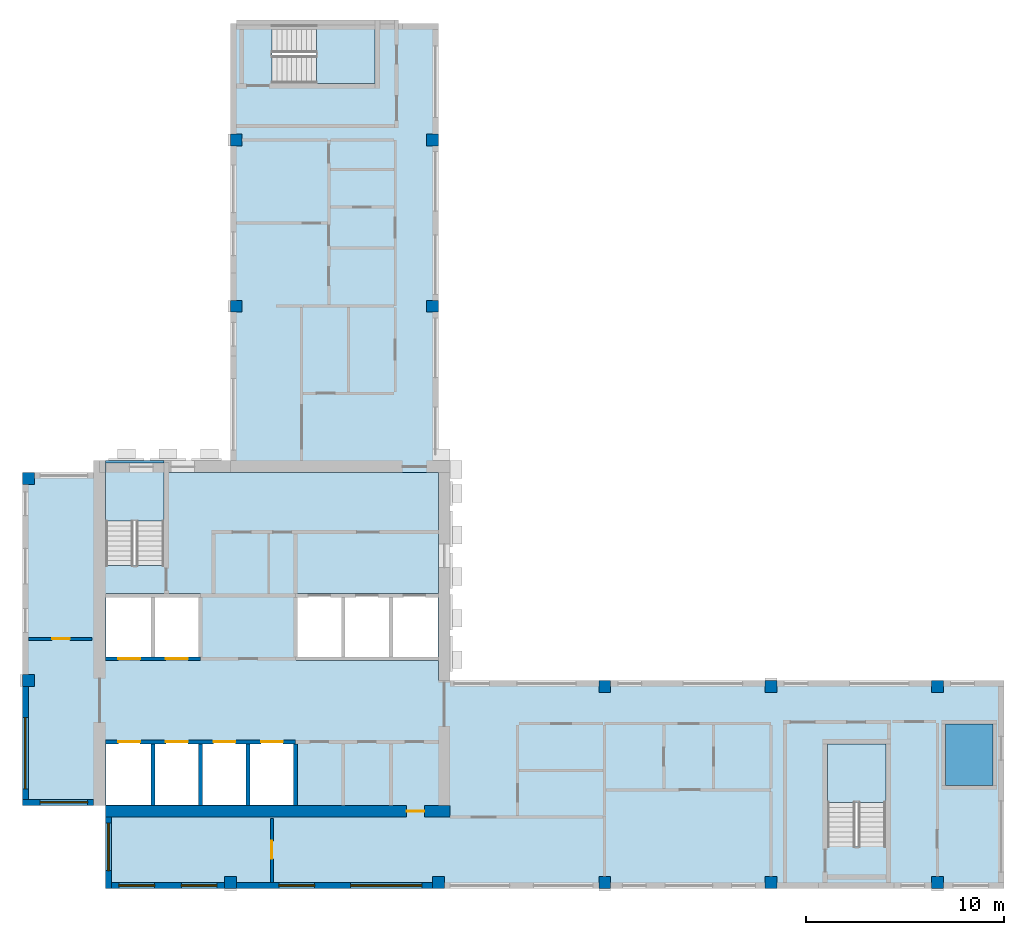
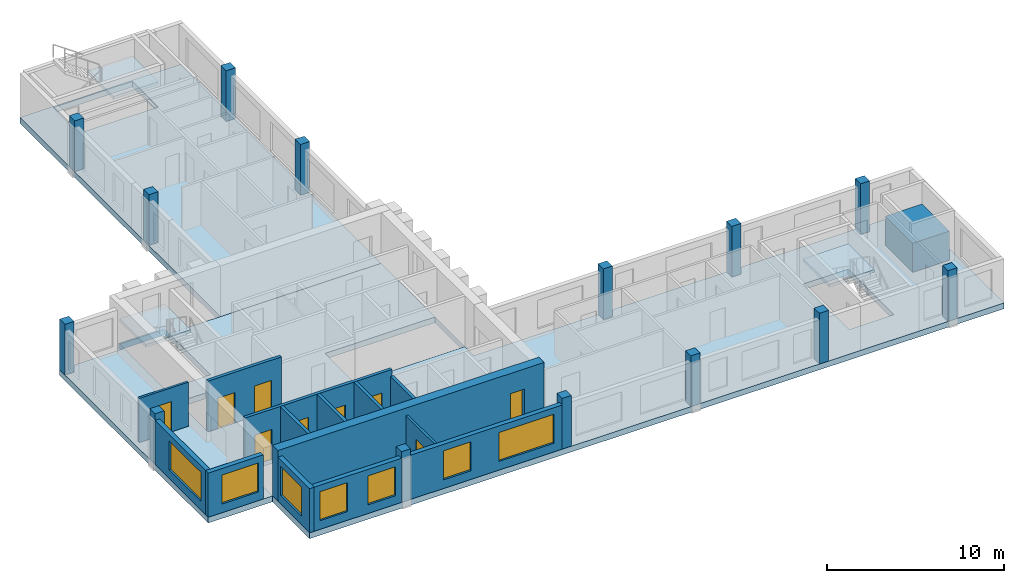
# One storey, part 1 of 10: 14 columns, 14 walls, 9 doors, 7 slabs, 7 windows, 16 openings, 3 elements without a shape of their own.
"""IFC4 building model written with IfcOpenShell, lengths in metres."""

from ifc_helpers import new_model, si_unit, direction, frame, frame_2d, origin, origin_2d, place, context, subcontext, project, spatial, polyline, rectangle, outline, extrude, source, transform, mapped, material, layer, layer_set, material_profile, profile_set, type_object, element, fill, aggregate, save


model = new_model("IFC4")

# Units and contexts
model_context = context("Model", 3, precision=1e-05, world=origin(), true_north=direction((0.0, 1.0)))
body_context = subcontext(model_context, "Body", "Model", "MODEL_VIEW")
ifc_project = project(units=[si_unit("LENGTHUNIT", "METRE"), si_unit("AREAUNIT", "SQUARE_METRE"), si_unit("VOLUMEUNIT", "CUBIC_METRE"), si_unit("PLANEANGLEUNIT", "RADIAN"), si_unit("MASSUNIT", "GRAM", prefix="KILO")], contexts=[model_context])

# Site, building, storey
site_placement = place(None, origin())
site = spatial("IfcSite", under=ifc_project, at=site_placement, CompositionType="ELEMENT")
building_placement = place(site_placement, origin())
building = spatial("IfcBuilding", under=site, at=building_placement, Name="Aurelian Terraces", CompositionType="ELEMENT")
storey_placement = place(building_placement, frame((0.0, 0.0, 365.0)))
storey = spatial("IfcBuildingStorey", under=building, at=storey_placement, Name="L87", CompositionType="ELEMENT", Elevation=365.0)

# Columns
ifc_material_1 = material(Name="Concrete fc' 55 MPa", Category="concrete")
ifc_material_profile = material_profile(ifc_material_1, rectangle(XDim=0.6, YDim=0.6, at=origin_2d()))
ifc_profile_set = profile_set([ifc_material_profile], Name="Concrete fc' 55 MPa")
column_type = type_object("IfcColumnType", Name="RC COLUMN 600X600 FC55", PredefinedType="COLUMN", material=ifc_profile_set)
shared_shape_1 = source(origin(), body_context, "Body", "SweptSolid", [
    extrude(rectangle(XDim=0.6, YDim=0.6, at=origin_2d()), origin(), (0.0, 0.0, 1.0), 3.5),
])
for number, where, z_axis, x_axis, name in (
    (1, (10.5, 0.3, 0.0), (0.0, 0.0, 1.0), (1.0, 0.0, 0.0), "Column 2/A L87"),
    (2, (21.0, 0.3, 0.0), (0.0, 0.0, 1.0), (1.0, 0.0, 0.0), "Column 3/A L87"),
    (3, (29.4, 0.3, 0.0), (0.0, 0.0, 1.0), (1.0, 0.0, 0.0), "Column 4/A L87"),
    (4, (37.8, 0.3, 0.0), (0.0, 0.0, 1.0), (1.0, 0.0, 0.0), "Column 5/A L87"),
    (5, (46.2, 0.3, 0.0), (0.0, 0.0, 1.0), (1.0, 0.0, 0.0), "Column 6/A L87"),
    (6, (0.3, 10.5, 0.0), (0.0, 0.0, 1.0), (1.0, 0.0, 0.0), "Column 1/B L87"),
    (7, (29.4, 10.2, 0.0), (0.0, 0.0, 1.0), (1.0, 0.0, 0.0), "Column 4/B L87"),
    (8, (37.8, 10.2, 0.0), (0.0, 0.0, 1.0), (1.0, 0.0, 0.0), "Column 5/B L87"),
    (9, (46.2, 10.2, 0.0), (0.0, 0.0, 1.0), (1.0, 0.0, 0.0), "Column 6/B L87"),
    (10, (0.3, 20.7, 0.0), (0.0, 0.0, 1.0), (1.0, 0.0, 0.0), "Column 1/C L87"),
    (11, (10.8, 29.4, 0.0), (0.0, 0.0, 1.0), (1.0, 0.0, 0.0), "Column 2/D L87"),
    (12, (20.7, 29.4, 0.0), (0.0, 0.0, 1.0), (1.0, 0.0, 0.0), "Column 3/D L87"),
    (13, (10.8, 37.8, 0.0), (0.0, 0.0, 1.0), (1.0, 0.0, 0.0), "Column 2/E L87"),
    (14, (20.7, 37.8, 0.0), (0.0, 0.0, 1.0), (1.0, 0.0, 0.0), "Column 3/E L87"),
):
    element("IfcColumn", number, at=place(storey_placement, frame(where, z_axis=z_axis, x_axis=x_axis)), inside=storey, type_object=column_type, Name=name, PredefinedType="COLUMN", context=body_context, shape_type="MappedRepresentation", body=[
        mapped(shared_shape_1, transform((0.0, 0.0, 0.0), scale=1.0)),
    ])

# Slabs
ifc_material_2 = material(Name="Concrete fc' 40 MPa", Category="concrete")
ifc_layer_1 = layer(ifc_material_2, 2.0)
ifc_layer_set_1 = layer_set([ifc_layer_1], Name="Lift pit base")
slab_type_1 = type_object("IfcSlabType", Name="Lift pit base", PredefinedType="NOTDEFINED", material=ifc_layer_set_1)
slab_1_placement = place(storey_placement, origin())
element("IfcSlab", 15, at=slab_1_placement, inside=storey, type_object=slab_type_1, Name="Lift pit base SV1", PredefinedType="NOTDEFINED", context=body_context, shape_type="SweptSolid", body=[
    extrude(outline(polyline([(46.6, 5.2), (49.0, 5.2), (49.0, 8.3), (46.6, 8.3), (46.6, 5.2)])), origin(), (0.0, 0.0, 1.0), 2.0),
])
ifc_layer_2 = layer(ifc_material_2, 0.4)
ifc_layer_set_2 = layer_set([ifc_layer_2], Name="PT FLAT PLATE 400")
slab_type_2 = type_object("IfcSlabType", Name="PT FLAT PLATE 400", PredefinedType="FLOOR", material=ifc_layer_set_2)
shared_shape_2 = source(origin(), body_context, "Body", "SweptSolid", [
    extrude(outline(polyline([(10.5, 43.68), (14.7, 43.68), (16.8, 43.68), (21.0, 43.68), (21.0, 21.0), (10.5, 21.0), (10.5, 43.68)]), holes=[polyline([(17.79, 43.59), (12.61, 43.59), (12.61, 40.66), (17.79, 40.66), (17.79, 43.59)])]), origin(), (0.0, 0.0, 1.0), 0.4),
])
slab_2_placement = place(storey_placement, frame((0.0, 0.0, -0.4)))
element("IfcSlab", 16, at=slab_2_placement, inside=storey, type_object=slab_type_2, Name="Floor slab W L87", PredefinedType="FLOOR", context=body_context, shape_type="MappedRepresentation", body=[
    mapped(shared_shape_2, transform((0.0, 0.0, 0.0), scale=1.0)),
])
shared_shape_3 = source(origin(), body_context, "Body", "SweptSolid", [
    extrude(outline(polyline([(4.2, 21.0), (4.2, 21.6), (7.15, 21.6), (7.15, 21.0), (7.14, 21.0), (7.14, 21.49), (4.21, 21.49), (4.21, 21.0), (4.2, 21.0)])), origin(), (0.0, 0.0, 1.0), 0.4),
])
slab_3_placement = place(storey_placement, frame((0.0, 0.0, -0.4)))
element("IfcSlab", 17, at=slab_3_placement, inside=storey, type_object=slab_type_2, Name="Floor slab W2 L87", PredefinedType="FLOOR", context=body_context, shape_type="MappedRepresentation", body=[
    mapped(shared_shape_3, transform((0.0, 0.0, 0.0), scale=1.0)),
])
shared_shape_4 = source(origin(), body_context, "Body", "SweptSolid", [
    extrude(outline(polyline([(21.0, 0.0), (4.2, 0.0), (4.2, 4.2), (0.0, 4.2), (0.0, 10.5), (0.0, 21.0), (4.21, 21.0), (4.21, 16.31), (7.14, 16.31), (7.14, 21.0), (21.0, 21.0), (21.0, 10.5), (49.56, 10.5), (49.56, 6.3), (49.56, 4.2), (49.56, 0.0), (21.0, 0.0)]), holes=[polyline([(40.66, 2.11), (43.59, 2.11), (43.59, 7.29), (40.66, 7.29), (40.66, 2.11)]), polyline([(13.81, 14.89), (13.81, 11.51), (20.99, 11.51), (20.99, 14.89), (13.81, 14.89)]), polyline([(4.21, 7.49), (4.21, 4.21), (13.79, 4.21), (13.79, 7.49), (4.21, 7.49)]), polyline([(8.99, 11.51), (8.99, 14.89), (4.21, 14.89), (4.21, 11.51), (8.99, 11.51)])]), origin(), (0.0, 0.0, 1.0), 0.4),
])
slab_4_placement = place(storey_placement, frame((0.0, 0.0, -0.4)))
element("IfcSlab", 18, at=slab_4_placement, inside=storey, type_object=slab_type_2, Name="Floor slab S L87", PredefinedType="FLOOR", context=body_context, shape_type="MappedRepresentation", body=[
    mapped(shared_shape_4, transform((0.0, 0.0, 0.0), scale=1.0)),
])

# Stair, slab
stair_type = type_object("IfcStairType", Name="Stair 1400", PredefinedType="HALF_TURN_STAIR", material=ifc_material_2)
stair_1_placement = place(storey_placement, origin())
stair_1 = element("IfcStair", 19, at=stair_1_placement, inside=storey, type_object=stair_type, Name="L87 S1", PredefinedType="HALF_TURN_STAIR")
ifc_layer_3 = layer(ifc_material_2, 0.2)
ifc_layer_set_3 = layer_set([ifc_layer_3], Name="Stair landing 200")
slab_type_3 = type_object("IfcSlabType", Name="Stair landing 200", PredefinedType="LANDING", material=ifc_layer_set_3)
shared_shape_5 = source(origin(), body_context, "Body", "SweptSolid", [
    extrude(outline(polyline([(7.15, 18.55), (7.15, 21.5), (4.2, 21.5), (4.2, 18.55), (7.15, 18.55)])), origin(), (0.0, 0.0, 1.0), 0.2),
])
slab_5_placement = place(storey_placement, frame((0.0, 0.0, 1.55)))
slab_5 = element("IfcSlab", 20, at=slab_5_placement, type_object=slab_type_3, Name="S1 landing 1", PredefinedType="LANDING", context=body_context, shape_type="MappedRepresentation", body=[
    mapped(shared_shape_5, transform((0.0, 0.0, 0.0), scale=1.0)),
])
aggregate(stair_1, [slab_5])

stair_2_placement = place(storey_placement, origin())
stair_2 = element("IfcStair", 21, at=stair_2_placement, inside=storey, type_object=stair_type, Name="L87 S2", PredefinedType="HALF_TURN_STAIR")
shared_shape_6 = source(origin(), body_context, "Body", "SweptSolid", [
    extrude(outline(polyline([(43.6, 4.35), (43.6, 7.3), (40.65, 7.3), (40.65, 4.35), (43.6, 4.35)])), origin(), (0.0, 0.0, 1.0), 0.2),
])
slab_6_placement = place(storey_placement, frame((0.0, 0.0, 1.55)))
slab_6 = element("IfcSlab", 22, at=slab_6_placement, type_object=slab_type_3, Name="S2 landing 1", PredefinedType="LANDING", context=body_context, shape_type="MappedRepresentation", body=[
    mapped(shared_shape_6, transform((0.0, 0.0, 0.0), scale=1.0)),
])
aggregate(stair_2, [slab_6])

stair_3_placement = place(storey_placement, origin())
stair_3 = element("IfcStair", 23, at=stair_3_placement, inside=storey, type_object=stair_type, Name="L87 S3U", PredefinedType="HALF_TURN_STAIR")
shared_shape_7 = source(origin(), body_context, "Body", "SweptSolid", [
    extrude(outline(polyline([(14.85, 40.65), (17.8, 40.65), (17.8, 43.6), (14.85, 43.6), (14.85, 40.65)])), origin(), (0.0, 0.0, 1.0), 0.2),
])
slab_7_placement = place(storey_placement, frame((0.0, 0.0, 1.55)))
slab_7 = element("IfcSlab", 24, at=slab_7_placement, type_object=slab_type_3, Name="S3U landing 1", PredefinedType="LANDING", context=body_context, shape_type="MappedRepresentation", body=[
    mapped(shared_shape_7, transform((0.0, 0.0, 0.0), scale=1.0)),
])
aggregate(stair_3, [slab_7])

# Wall, openings, windows
ifc_material_3 = material(Name="Terracotta rainscreen cladding", Category="masonry")
ifc_layer_4 = layer(ifc_material_3, 0.3)
ifc_layer_set_4 = layer_set([ifc_layer_4], Name="EW-300")
wall_type_1 = type_object("IfcWallType", Name="EW-300", PredefinedType="STANDARD", material=ifc_layer_set_4)
wall_1_placement = place(storey_placement, frame((4.2, 0.15, 0.0), z_axis=(0.0, 0.0, 1.0), x_axis=(1.0, 0.0, 0.0)))
wall_1 = element("IfcWall", 25, at=wall_1_placement, inside=storey, type_object=wall_type_1, Name="External wall L87 F01.1", PredefinedType="STANDARD", context=body_context, shape_type="SweptSolid", body=[
    extrude(rectangle(XDim=6.0, YDim=0.3, at=frame_2d((3.0, 0.0))), origin(), (0.0, 0.0, 1.0), 3.05),
])
shared_shape_8 = source(origin(), body_context, "Body", "SweptSolid", [
    extrude(rectangle(XDim=1.8, YDim=2.0, at=frame_2d((0.9, 1.0))), frame((0.0, 0.16, 0.0), z_axis=(0.0, -1.0, 0.0), x_axis=(1.0, 0.0, 0.0)), (0.0, 0.0, 1.0), 0.32),
])
opening_1_placement = place(wall_1_placement, frame((0.675, 0.0, 0.6)))
opening_1 = element("IfcOpeningElement", 26, at=opening_1_placement, cuts=wall_1, Name="Opening W1820", PredefinedType="OPENING", context=body_context, shape_type="MappedRepresentation", body=[
    mapped(shared_shape_8, transform((0.0, 0.0, 0.0), scale=1.0)),
])
opening_2_placement = place(wall_1_placement, frame((3.825, 0.0, 0.6)))
opening_2 = element("IfcOpeningElement", 27, at=opening_2_placement, cuts=wall_1, Name="Opening W1820", PredefinedType="OPENING", context=body_context, shape_type="MappedRepresentation", body=[
    mapped(shared_shape_8, transform((0.0, 0.0, 0.0), scale=1.0)),
])
ifc_material_4 = material(Name="Clear glazing", Category="glass")
window_type_1 = type_object("IfcWindowType", Name="W-1800x2000", PartitioningType="SINGLE_PANEL", PredefinedType="WINDOW", material=ifc_material_4)
shared_shape_9 = source(origin(), body_context, "Body", "SweptSolid", [
    extrude(rectangle(XDim=1.8, YDim=2.0, at=frame_2d((0.9, 1.0))), frame((0.0, 0.03, 0.0), z_axis=(0.0, -1.0, 0.0), x_axis=(1.0, 0.0, 0.0)), (0.0, 0.0, 1.0), 0.06),
])
window_1_placement = place(opening_1_placement, origin())
window_1 = element("IfcWindow", 28, at=window_1_placement, inside=storey, type_object=window_type_1, Name="Window L87 L87-F01-01-0", OverallHeight=2.0, OverallWidth=1.8, PartitioningType="SINGLE_PANEL", PredefinedType="WINDOW", context=body_context, shape_type="MappedRepresentation", body=[
    mapped(shared_shape_9, transform((0.0, 0.0, 0.0), scale=1.0)),
])
fill(opening_1, window_1)
window_2_placement = place(opening_2_placement, origin())
window_2 = element("IfcWindow", 29, at=window_2_placement, inside=storey, type_object=window_type_1, Name="Window L87 L87-F01-01-1", OverallHeight=2.0, OverallWidth=1.8, PartitioningType="SINGLE_PANEL", PredefinedType="WINDOW", context=body_context, shape_type="MappedRepresentation", body=[
    mapped(shared_shape_9, transform((0.0, 0.0, 0.0), scale=1.0)),
])
fill(opening_2, window_2)

wall_2_placement = place(storey_placement, frame((10.8, 0.15, 0.0), z_axis=(0.0, 0.0, 1.0), x_axis=(1.0, 0.0, 0.0)))
wall_2 = element("IfcWall", 30, at=wall_2_placement, inside=storey, type_object=wall_type_1, Name="External wall L87 F01.2", PredefinedType="STANDARD", context=body_context, shape_type="SweptSolid", body=[
    extrude(rectangle(XDim=9.9, YDim=0.3, at=frame_2d((4.95, 0.0))), origin(), (0.0, 0.0, 1.0), 3.05),
])
opening_3_placement = place(wall_2_placement, frame((2.15, 0.0, 0.6)))
opening_3 = element("IfcOpeningElement", 31, at=opening_3_placement, cuts=wall_2, Name="Opening W1820", PredefinedType="OPENING", context=body_context, shape_type="MappedRepresentation", body=[
    mapped(shared_shape_8, transform((0.0, 0.0, 0.0), scale=1.0)),
])
shared_shape_10 = source(origin(), body_context, "Body", "SweptSolid", [
    extrude(rectangle(XDim=3.6, YDim=2.0, at=frame_2d((1.8, 1.0))), frame((0.0, 0.16, 0.0), z_axis=(0.0, -1.0, 0.0), x_axis=(1.0, 0.0, 0.0)), (0.0, 0.0, 1.0), 0.32),
])
opening_4_placement = place(wall_2_placement, frame((5.775, 0.0, 0.6)))
opening_4 = element("IfcOpeningElement", 32, at=opening_4_placement, cuts=wall_2, Name="Opening W3620", PredefinedType="OPENING", context=body_context, shape_type="MappedRepresentation", body=[
    mapped(shared_shape_10, transform((0.0, 0.0, 0.0), scale=1.0)),
])
window_3_placement = place(opening_3_placement, origin())
window_3 = element("IfcWindow", 33, at=window_3_placement, inside=storey, type_object=window_type_1, Name="Window L87 L87-F01-02-0", OverallHeight=2.0, OverallWidth=1.8, PartitioningType="SINGLE_PANEL", PredefinedType="WINDOW", context=body_context, shape_type="MappedRepresentation", body=[
    mapped(shared_shape_9, transform((0.0, 0.0, 0.0), scale=1.0)),
])
fill(opening_3, window_3)
window_type_2 = type_object("IfcWindowType", Name="W-3600x2000", PartitioningType="SINGLE_PANEL", PredefinedType="WINDOW", material=ifc_material_4)
shared_shape_11 = source(origin(), body_context, "Body", "SweptSolid", [
    extrude(rectangle(XDim=3.6, YDim=2.0, at=frame_2d((1.8, 1.0))), frame((0.0, 0.03, 0.0), z_axis=(0.0, -1.0, 0.0), x_axis=(1.0, 0.0, 0.0)), (0.0, 0.0, 1.0), 0.06),
])
window_4_placement = place(opening_4_placement, origin())
window_4 = element("IfcWindow", 34, at=window_4_placement, inside=storey, type_object=window_type_2, Name="Window L87 L87-F01-02-1", OverallHeight=2.0, OverallWidth=3.6, PartitioningType="SINGLE_PANEL", PredefinedType="WINDOW", context=body_context, shape_type="MappedRepresentation", body=[
    mapped(shared_shape_11, transform((0.0, 0.0, 0.0), scale=1.0)),
])
fill(opening_4, window_4)

# Wall, opening, window
wall_3_placement = place(storey_placement, frame((0.0, 4.35, 0.0), z_axis=(0.0, 0.0, 1.0), x_axis=(1.0, 0.0, 0.0)))
wall_3 = element("IfcWall", 35, at=wall_3_placement, inside=storey, type_object=wall_type_1, Name="External wall L87 F13.23", PredefinedType="STANDARD", context=body_context, shape_type="SweptSolid", body=[
    extrude(rectangle(XDim=3.6, YDim=0.3, at=frame_2d((1.8, 0.0))), origin(), (0.0, 0.0, 1.0), 3.05),
])
shared_shape_12 = source(origin(), body_context, "Body", "SweptSolid", [
    extrude(rectangle(XDim=2.4, YDim=2.0, at=frame_2d((1.2, 1.0))), frame((0.0, 0.16, 0.0), z_axis=(0.0, -1.0, 0.0), x_axis=(1.0, 0.0, 0.0)), (0.0, 0.0, 1.0), 0.32),
])
opening_5_placement = place(wall_3_placement, frame((0.9, 0.0, 0.6)))
opening_5 = element("IfcOpeningElement", 36, at=opening_5_placement, cuts=wall_3, Name="Opening W2420", PredefinedType="OPENING", context=body_context, shape_type="MappedRepresentation", body=[
    mapped(shared_shape_12, transform((0.0, 0.0, 0.0), scale=1.0)),
])
window_type_3 = type_object("IfcWindowType", Name="W-2400x2000", PartitioningType="SINGLE_PANEL", PredefinedType="WINDOW", material=ifc_material_4)
shared_shape_13 = source(origin(), body_context, "Body", "SweptSolid", [
    extrude(rectangle(XDim=2.4, YDim=2.0, at=frame_2d((1.2, 1.0))), frame((0.0, 0.03, 0.0), z_axis=(0.0, -1.0, 0.0), x_axis=(1.0, 0.0, 0.0)), (0.0, 0.0, 1.0), 0.06),
])
window_5_placement = place(opening_5_placement, origin())
window_5 = element("IfcWindow", 37, at=window_5_placement, inside=storey, type_object=window_type_3, Name="Window L87 L87-F13-23-0", OverallHeight=2.0, OverallWidth=2.4, PartitioningType="SINGLE_PANEL", PredefinedType="WINDOW", context=body_context, shape_type="MappedRepresentation", body=[
    mapped(shared_shape_13, transform((0.0, 0.0, 0.0), scale=1.0)),
])
fill(opening_5, window_5)

# Wall
ifc_layer_5 = layer(ifc_material_2, 0.2)
ifc_layer_set_5 = layer_set([ifc_layer_5], Name="Lift shaft wall 200")
wall_type_2 = type_object("IfcWallType", Name="Lift shaft wall 200", PredefinedType="SOLIDWALL", material=ifc_layer_set_5)
wall_4_placement = place(storey_placement, frame((13.8, 4.2, 0.0), z_axis=(0.0, 0.0, 1.0), x_axis=(0.0, 1.0, 0.0)))
element("IfcWall", 38, at=wall_4_placement, inside=storey, type_object=wall_type_2, Name="L87 core wall CD-A4", PredefinedType="SOLIDWALL", context=body_context, shape_type="SweptSolid", body=[
    extrude(rectangle(XDim=3.1, YDim=0.2, at=frame_2d((1.55, 0.0))), origin(), (0.0, 0.0, 1.0), 3.05),
])

# Wall, opening, door
ifc_material_5 = material(Name="Gypsum board on steel studs", Category="steel")
ifc_layer_6 = layer(ifc_material_5, 0.15)
ifc_layer_set_6 = layer_set([ifc_layer_6], Name="Partition 150")
wall_type_3 = type_object("IfcWallType", Name="Partition 150", PredefinedType="PARTITIONING", material=ifc_layer_set_6)
wall_5_placement = place(storey_placement, frame((12.6, 3.525, 0.0), z_axis=(0.0, 0.0, 1.0), x_axis=(0.0, -1.0, 0.0)))
wall_5 = element("IfcWall", 39, at=wall_5_placement, inside=storey, type_object=wall_type_3, Name="Partition", PredefinedType="PARTITIONING", context=body_context, shape_type="SweptSolid", body=[
    extrude(rectangle(XDim=3.225, YDim=0.15, at=frame_2d((1.6125, 0.0))), origin(), (0.0, 0.0, 1.0), 3.05),
])
shared_shape_14 = source(origin(), body_context, "Body", "SweptSolid", [
    extrude(rectangle(XDim=0.9, YDim=2.1, at=frame_2d((0.45, 1.05))), frame((0.0, 0.085, 0.0), z_axis=(0.0, -1.0, 0.0), x_axis=(1.0, 0.0, 0.0)), (0.0, 0.0, 1.0), 0.17),
])
opening_6_placement = place(wall_5_placement, frame((1.125, 0.0, 0.0)))
opening_6 = element("IfcOpeningElement", 40, at=opening_6_placement, cuts=wall_5, Name="Opening 787003", PredefinedType="OPENING", context=body_context, shape_type="MappedRepresentation", body=[
    mapped(shared_shape_14, transform((0.0, 0.0, 0.0), scale=1.0)),
])
ifc_material_6 = material(Name="Timber door leaf", Category="wood")
door_type_1 = type_object("IfcDoorType", Name="Room door 900x2100 left", OperationType="SINGLE_SWING_LEFT", PredefinedType="DOOR", material=ifc_material_6)
shared_shape_15 = source(origin(), body_context, "Body", "SweptSolid", [
    extrude(rectangle(XDim=0.9, YDim=2.1, at=frame_2d((0.45, 1.05))), frame((0.0, 0.025, 0.0), z_axis=(0.0, -1.0, 0.0), x_axis=(1.0, 0.0, 0.0)), (0.0, 0.0, 1.0), 0.05),
])
door_1_placement = place(opening_6_placement, origin())
door_1 = element("IfcDoor", 41, at=door_1_placement, inside=storey, type_object=door_type_1, Name="Door 787003", OperationType="SINGLE_SWING_LEFT", OverallHeight=2.1, OverallWidth=0.9, PredefinedType="DOOR", context=body_context, shape_type="MappedRepresentation", body=[
    mapped(shared_shape_15, transform((0.0, 0.0, 0.0), scale=1.0)),
])
fill(opening_6, door_1)

ifc_layer_7 = layer(ifc_material_1, 0.6)
ifc_layer_set_7 = layer_set([ifc_layer_7], Name="CORE WALL 600 FC55")
wall_type_4 = type_object("IfcWallType", Name="CORE WALL 600 FC55", PredefinedType="SHEAR", material=ifc_layer_set_7)
shared_shape_16 = source(origin(), body_context, "Body", "SweptSolid", [
    extrude(rectangle(XDim=17.4, YDim=0.6, at=frame_2d((8.7, 0.0))), origin(), (0.0, 0.0, 1.0), 3.5),
])
wall_6_placement = place(storey_placement, frame((4.2, 3.9, 0.0), z_axis=(0.0, 0.0, 1.0), x_axis=(1.0, 0.0, 0.0)))
wall_6 = element("IfcWall", 42, at=wall_6_placement, inside=storey, type_object=wall_type_4, Name="Core wall S L87", PredefinedType="SHEAR", context=body_context, shape_type="MappedRepresentation", body=[
    mapped(shared_shape_16, transform((0.0, 0.0, 0.0), scale=1.0)),
])
shared_shape_17 = source(origin(), body_context, "Body", "SweptSolid", [
    extrude(rectangle(XDim=0.9, YDim=2.1, at=frame_2d((0.45, 1.05))), frame((0.0, 0.31, 0.0), z_axis=(0.0, -1.0, 0.0), x_axis=(1.0, 0.0, 0.0)), (0.0, 0.0, 1.0), 0.62),
])
opening_7_placement = place(wall_6_placement, frame((15.2, 0.0, 0.0)))
opening_7 = element("IfcOpeningElement", 43, at=opening_7_placement, cuts=wall_6, Name="Opening 69026", PredefinedType="OPENING", context=body_context, shape_type="MappedRepresentation", body=[
    mapped(shared_shape_17, transform((0.0, 0.0, 0.0), scale=1.0)),
])
ifc_material_7 = material(Name="Steel door leaf", Category="steel")
door_type_2 = type_object("IfcDoorType", Name="Core service door 900x2100 right", OperationType="SINGLE_SWING_RIGHT", PredefinedType="DOOR", material=ifc_material_7)
door_2_placement = place(opening_7_placement, origin())
door_2 = element("IfcDoor", 44, at=door_2_placement, inside=storey, type_object=door_type_2, Name="Core door 69026", OperationType="SINGLE_SWING_RIGHT", OverallHeight=2.1, OverallWidth=0.9, PredefinedType="DOOR", context=body_context, shape_type="MappedRepresentation", body=[
    mapped(shared_shape_15, transform((0.0, 0.0, 0.0), scale=1.0)),
])
fill(opening_7, door_2)

# Wall, opening, window
shared_shape_18 = source(origin(), body_context, "Body", "SweptSolid", [
    extrude(rectangle(XDim=6.0, YDim=0.3, at=frame_2d((3.0, 0.0))), origin(), (0.0, 0.0, 1.0), 3.05),
])
wall_7_placement = place(storey_placement, frame((0.15, 10.2, 0.0), z_axis=(0.0, 0.0, 1.0), x_axis=(0.0, -1.0, 0.0)))
wall_7 = element("IfcWall", 45, at=wall_7_placement, inside=storey, type_object=wall_type_1, Name="External wall L87 F12.22", PredefinedType="STANDARD", context=body_context, shape_type="MappedRepresentation", body=[
    mapped(shared_shape_18, transform((0.0, 0.0, 0.0), scale=1.0)),
])
opening_8_placement = place(wall_7_placement, frame((1.575, 0.0, 0.6)))
opening_8 = element("IfcOpeningElement", 46, at=opening_8_placement, cuts=wall_7, Name="Opening W3620", PredefinedType="OPENING", context=body_context, shape_type="MappedRepresentation", body=[
    mapped(shared_shape_10, transform((0.0, 0.0, 0.0), scale=1.0)),
])
window_6_placement = place(opening_8_placement, origin())
window_6 = element("IfcWindow", 47, at=window_6_placement, inside=storey, type_object=window_type_2, Name="Window L87 L87-F12-22-3", OverallHeight=2.0, OverallWidth=3.6, PartitioningType="SINGLE_PANEL", PredefinedType="WINDOW", context=body_context, shape_type="MappedRepresentation", body=[
    mapped(shared_shape_11, transform((0.0, 0.0, 0.0), scale=1.0)),
])
fill(opening_8, window_6)

shared_shape_19 = source(origin(), body_context, "Body", "SweptSolid", [
    extrude(rectangle(XDim=3.6, YDim=0.3, at=frame_2d((1.8, 0.0))), origin(), (0.0, 0.0, 1.0), 3.05),
])
wall_8_placement = place(storey_placement, frame((4.35, 3.6, 0.0), z_axis=(0.0, 0.0, 1.0), x_axis=(0.0, -1.0, 0.0)))
wall_8 = element("IfcWall", 48, at=wall_8_placement, inside=storey, type_object=wall_type_1, Name="External wall L87 F14.24", PredefinedType="STANDARD", context=body_context, shape_type="MappedRepresentation", body=[
    mapped(shared_shape_19, transform((0.0, 0.0, 0.0), scale=1.0)),
])
opening_9_placement = place(wall_8_placement, frame((0.3, 0.0, 0.6)))
opening_9 = element("IfcOpeningElement", 49, at=opening_9_placement, cuts=wall_8, Name="Opening W2420", PredefinedType="OPENING", context=body_context, shape_type="MappedRepresentation", body=[
    mapped(shared_shape_12, transform((0.0, 0.0, 0.0), scale=1.0)),
])
window_7_placement = place(opening_9_placement, origin())
window_7 = element("IfcWindow", 50, at=window_7_placement, inside=storey, type_object=window_type_3, Name="Window L87 L87-F14-24-0", OverallHeight=2.0, OverallWidth=2.4, PartitioningType="SINGLE_PANEL", PredefinedType="WINDOW", context=body_context, shape_type="MappedRepresentation", body=[
    mapped(shared_shape_13, transform((0.0, 0.0, 0.0), scale=1.0)),
])
fill(opening_9, window_7)

# Walls
shared_shape_20 = source(origin(), body_context, "Body", "SweptSolid", [
    extrude(rectangle(XDim=3.1, YDim=0.2, at=frame_2d((1.55, 0.0))), origin(), (0.0, 0.0, 1.0), 3.5),
])
for number, where, z_axis, x_axis, name in (
    (51, (6.6, 4.2, 0.0), (0.0, 0.0, 1.0), (0.0, 1.0, 0.0), "L87 core wall CD-A1"),
    (52, (9.0, 4.2, 0.0), (0.0, 0.0, 1.0), (0.0, 1.0, 0.0), "L87 core wall CD-A2"),
    (53, (11.4, 4.2, 0.0), (0.0, 0.0, 1.0), (0.0, 1.0, 0.0), "L87 core wall CD-A3"),
):
    element("IfcWall", number, at=place(storey_placement, frame(where, z_axis=z_axis, x_axis=x_axis)), inside=storey, type_object=wall_type_2, Name=name, PredefinedType="SOLIDWALL", context=body_context, shape_type="MappedRepresentation", body=[
        mapped(shared_shape_20, transform((0.0, 0.0, 0.0), scale=1.0)),
    ])

# Wall, openings, doors
shared_shape_21 = source(origin(), body_context, "Body", "SweptSolid", [
    extrude(rectangle(XDim=4.8, YDim=0.2, at=frame_2d((2.4, 0.0))), origin(), (0.0, 0.0, 1.0), 3.5),
])
wall_9_placement = place(storey_placement, frame((4.2, 11.6, 0.0), z_axis=(0.0, 0.0, 1.0), x_axis=(1.0, 0.0, 0.0)))
wall_9 = element("IfcWall", 54, at=wall_9_placement, inside=storey, type_object=wall_type_2, Name="L87 core wall CF-BF1", PredefinedType="SOLIDWALL", context=body_context, shape_type="MappedRepresentation", body=[
    mapped(shared_shape_21, transform((0.0, 0.0, 0.0), scale=1.0)),
])
shared_shape_22 = source(origin(), body_context, "Body", "SweptSolid", [
    extrude(rectangle(XDim=1.1, YDim=2.1, at=frame_2d((0.55, 1.05))), frame((0.0, 0.11, 0.0), z_axis=(0.0, -1.0, 0.0), x_axis=(1.0, 0.0, 0.0)), (0.0, 0.0, 1.0), 0.22),
])
opening_10_placement = place(wall_9_placement, frame((0.65, 0.0, 0.0)))
opening_10 = element("IfcOpeningElement", 55, at=opening_10_placement, cuts=wall_9, Name="Opening 69007", PredefinedType="OPENING", context=body_context, shape_type="MappedRepresentation", body=[
    mapped(shared_shape_22, transform((0.0, 0.0, 0.0), scale=1.0)),
])
opening_11_placement = place(wall_9_placement, frame((3.05, 0.0, 0.0)))
opening_11 = element("IfcOpeningElement", 56, at=opening_11_placement, cuts=wall_9, Name="Opening 69008", PredefinedType="OPENING", context=body_context, shape_type="MappedRepresentation", body=[
    mapped(shared_shape_22, transform((0.0, 0.0, 0.0), scale=1.0)),
])
ifc_material_8 = material(Name="Stainless steel", Category="steel")
door_type_3 = type_object("IfcDoorType", Name="Lift landing door 1100x2100", OperationType="SLIDING_TO_LEFT", PredefinedType="DOOR", material=ifc_material_8)
shared_shape_23 = source(origin(), body_context, "Body", "SweptSolid", [
    extrude(rectangle(XDim=1.1, YDim=2.1, at=frame_2d((0.55, 1.05))), frame((0.0, 0.025, 0.0), z_axis=(0.0, -1.0, 0.0), x_axis=(1.0, 0.0, 0.0)), (0.0, 0.0, 1.0), 0.05),
])
door_3_placement = place(opening_10_placement, origin())
door_3 = element("IfcDoor", 57, at=door_3_placement, inside=storey, type_object=door_type_3, Name="Lift landing door LH5 L87", OperationType="SLIDING_TO_LEFT", OverallHeight=2.1, OverallWidth=1.1, PredefinedType="DOOR", context=body_context, shape_type="MappedRepresentation", body=[
    mapped(shared_shape_23, transform((0.0, 0.0, 0.0), scale=1.0)),
])
fill(opening_10, door_3)
door_4_placement = place(opening_11_placement, origin())
door_4 = element("IfcDoor", 58, at=door_4_placement, inside=storey, type_object=door_type_3, Name="Lift landing door LH6 L87", OperationType="SLIDING_TO_LEFT", OverallHeight=2.1, OverallWidth=1.1, PredefinedType="DOOR", context=body_context, shape_type="MappedRepresentation", body=[
    mapped(shared_shape_23, transform((0.0, 0.0, 0.0), scale=1.0)),
])
fill(opening_11, door_4)

shared_shape_24 = source(origin(), body_context, "Body", "SweptSolid", [
    extrude(rectangle(XDim=9.6, YDim=0.2, at=frame_2d((4.8, 0.0))), origin(), (0.0, 0.0, 1.0), 3.5),
])
wall_10_placement = place(storey_placement, frame((4.2, 7.4, 0.0), z_axis=(0.0, 0.0, 1.0), x_axis=(1.0, 0.0, 0.0)))
wall_10 = element("IfcWall", 59, at=wall_10_placement, inside=storey, type_object=wall_type_2, Name="L87 core wall CF-AF1", PredefinedType="SOLIDWALL", context=body_context, shape_type="MappedRepresentation", body=[
    mapped(shared_shape_24, transform((0.0, 0.0, 0.0), scale=1.0)),
])
opening_12_placement = place(wall_10_placement, frame((0.65, 0.0, 0.0)))
opening_12 = element("IfcOpeningElement", 60, at=opening_12_placement, cuts=wall_10, Name="Opening 69000", PredefinedType="OPENING", context=body_context, shape_type="MappedRepresentation", body=[
    mapped(shared_shape_22, transform((0.0, 0.0, 0.0), scale=1.0)),
])
opening_13_placement = place(wall_10_placement, frame((3.05, 0.0, 0.0)))
opening_13 = element("IfcOpeningElement", 61, at=opening_13_placement, cuts=wall_10, Name="Opening 69001", PredefinedType="OPENING", context=body_context, shape_type="MappedRepresentation", body=[
    mapped(shared_shape_22, transform((0.0, 0.0, 0.0), scale=1.0)),
])
opening_14_placement = place(wall_10_placement, frame((5.45, 0.0, 0.0)))
opening_14 = element("IfcOpeningElement", 62, at=opening_14_placement, cuts=wall_10, Name="Opening 69002", PredefinedType="OPENING", context=body_context, shape_type="MappedRepresentation", body=[
    mapped(shared_shape_22, transform((0.0, 0.0, 0.0), scale=1.0)),
])
opening_15_placement = place(wall_10_placement, frame((7.85, 0.0, 0.0)))
opening_15 = element("IfcOpeningElement", 63, at=opening_15_placement, cuts=wall_10, Name="Opening 69003", PredefinedType="OPENING", context=body_context, shape_type="MappedRepresentation", body=[
    mapped(shared_shape_22, transform((0.0, 0.0, 0.0), scale=1.0)),
])
door_5_placement = place(opening_12_placement, origin())
door_5 = element("IfcDoor", 64, at=door_5_placement, inside=storey, type_object=door_type_3, Name="Lift landing door LH1 L87", OperationType="SLIDING_TO_LEFT", OverallHeight=2.1, OverallWidth=1.1, PredefinedType="DOOR", context=body_context, shape_type="MappedRepresentation", body=[
    mapped(shared_shape_23, transform((0.0, 0.0, 0.0), scale=1.0)),
])
fill(opening_12, door_5)
door_6_placement = place(opening_13_placement, origin())
door_6 = element("IfcDoor", 65, at=door_6_placement, inside=storey, type_object=door_type_3, Name="Lift landing door LH2 L87", OperationType="SLIDING_TO_LEFT", OverallHeight=2.1, OverallWidth=1.1, PredefinedType="DOOR", context=body_context, shape_type="MappedRepresentation", body=[
    mapped(shared_shape_23, transform((0.0, 0.0, 0.0), scale=1.0)),
])
fill(opening_13, door_6)
door_7_placement = place(opening_14_placement, origin())
door_7 = element("IfcDoor", 66, at=door_7_placement, inside=storey, type_object=door_type_3, Name="Lift landing door LH3 L87", OperationType="SLIDING_TO_LEFT", OverallHeight=2.1, OverallWidth=1.1, PredefinedType="DOOR", context=body_context, shape_type="MappedRepresentation", body=[
    mapped(shared_shape_23, transform((0.0, 0.0, 0.0), scale=1.0)),
])
fill(opening_14, door_7)
door_8_placement = place(opening_15_placement, origin())
door_8 = element("IfcDoor", 67, at=door_8_placement, inside=storey, type_object=door_type_3, Name="Lift landing door LH4 L87", OperationType="SLIDING_TO_LEFT", OverallHeight=2.1, OverallWidth=1.1, PredefinedType="DOOR", context=body_context, shape_type="MappedRepresentation", body=[
    mapped(shared_shape_23, transform((0.0, 0.0, 0.0), scale=1.0)),
])
fill(opening_15, door_8)

# Wall, opening, door
shared_shape_25 = source(origin(), body_context, "Body", "SweptSolid", [
    extrude(rectangle(XDim=3.225, YDim=0.15, at=frame_2d((1.6125, 0.0))), origin(), (0.0, 0.0, 1.0), 3.05),
])
wall_11_placement = place(storey_placement, frame((0.3, 12.6, 0.0), z_axis=(0.0, 0.0, 1.0), x_axis=(1.0, 0.0, 0.0)))
wall_11 = element("IfcWall", 68, at=wall_11_placement, inside=storey, type_object=wall_type_3, Name="Partition", PredefinedType="PARTITIONING", context=body_context, shape_type="MappedRepresentation", body=[
    mapped(shared_shape_25, transform((0.0, 0.0, 0.0), scale=1.0)),
])
opening_16_placement = place(wall_11_placement, frame((1.2, 0.0, 0.0)))
opening_16 = element("IfcOpeningElement", 69, at=opening_16_placement, cuts=wall_11, Name="Opening 787013", PredefinedType="OPENING", context=body_context, shape_type="MappedRepresentation", body=[
    mapped(shared_shape_14, transform((0.0, 0.0, 0.0), scale=1.0)),
])
door_9_placement = place(opening_16_placement, origin())
door_9 = element("IfcDoor", 70, at=door_9_placement, inside=storey, type_object=door_type_1, Name="Door 787013", OperationType="SINGLE_SWING_LEFT", OverallHeight=2.1, OverallWidth=0.9, PredefinedType="DOOR", context=body_context, shape_type="MappedRepresentation", body=[
    mapped(shared_shape_15, transform((0.0, 0.0, 0.0), scale=1.0)),
])
fill(opening_16, door_9)

save(model, "model.ifc")
